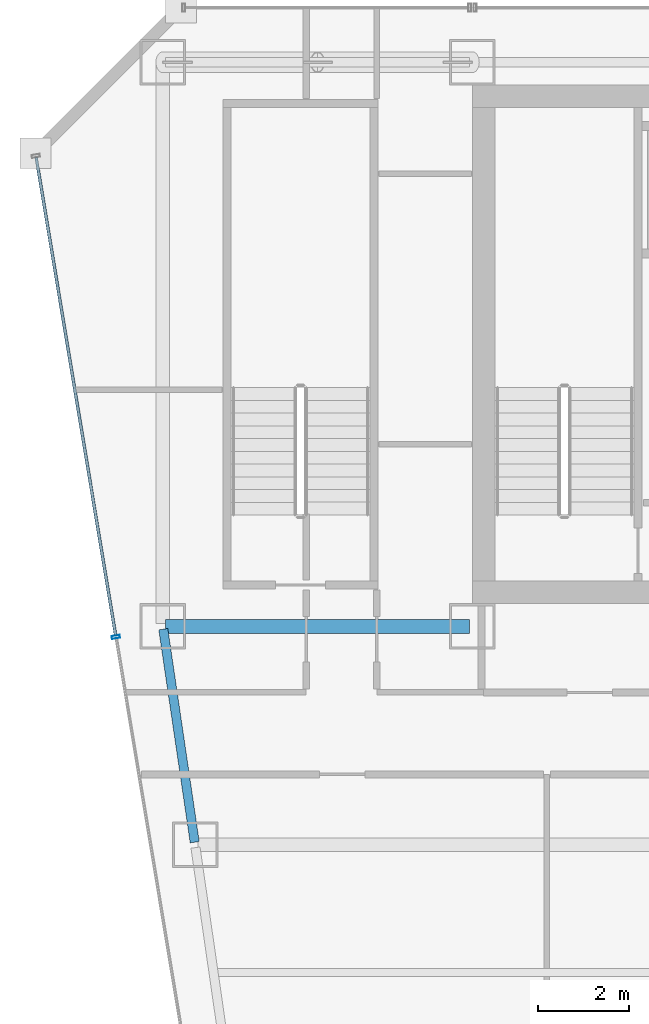
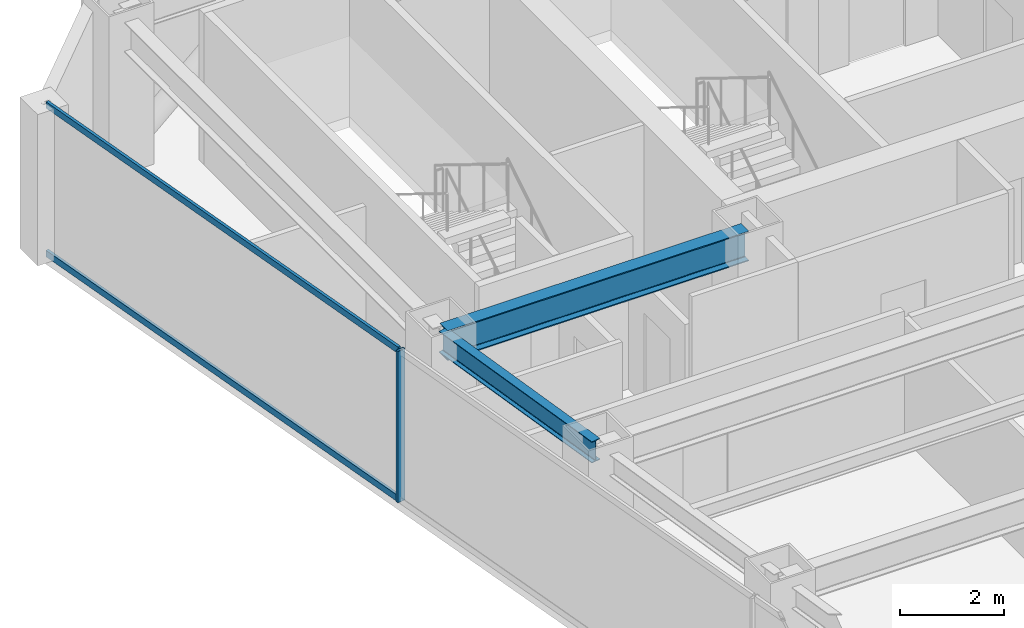
# One storey, part 19 of 36: 3 members, 2 beams, 1 element without a shape of its own.
"""IFC4 building model written with IfcOpenShell, lengths in metres."""

from ifc_helpers import new_model, si_unit, direction, frame, origin, origin_2d, place, context, subcontext, project, spatial, hollow_rectangle, i_section, extrude, material, material_profile, profile_set, type_object, element, aggregate, save


model = new_model("IFC4")

# Units and contexts
model_context = context("Model", 3, precision=1e-05, world=origin(), true_north=direction((0.0, 1.0)))
body_context = subcontext(model_context, "Body", "Model", "MODEL_VIEW")
ifc_project = project(units=[si_unit("LENGTHUNIT", "METRE"), si_unit("AREAUNIT", "SQUARE_METRE"), si_unit("VOLUMEUNIT", "CUBIC_METRE"), si_unit("PLANEANGLEUNIT", "RADIAN"), si_unit("MASSUNIT", "GRAM", prefix="KILO")], contexts=[model_context])

# Site, building, storey
site_placement = place(None, origin())
site = spatial("IfcSite", under=ifc_project, at=site_placement, CompositionType="ELEMENT")
building_placement = place(site_placement, origin())
building = spatial("IfcBuilding", under=site, at=building_placement, Name="Saevonmaru Cultural Tower", CompositionType="ELEMENT")
storey_placement = place(building_placement, frame((0.0, 0.0, 148.60009765625)))
storey = spatial("IfcBuildingStorey", under=building, at=storey_placement, Name="L32", CompositionType="ELEMENT", Elevation=148.60009765625)

# Beams
ifc_material_1 = material(Name="Steel SM355", Category="steel")
ifc_material_profile_1 = material_profile(ifc_material_1, i_section(OverallWidth=0.300048828125, OverallDepth=0.699951171875, WebThickness=0.012939453125, FlangeThickness=0.02392578125, FilletRadius=0.02587890625, at=origin_2d()), Name="H-700x300x13x24")
ifc_profile_set_1 = profile_set([ifc_material_profile_1], Name="Steel SM355")
beam_type_1 = type_object("IfcBeamType", Name="BM-G-H700", PredefinedType="BEAM", material=ifc_profile_set_1)
beam_1_placement = place(storey_placement, frame((6.860107421875, 42.39990234375, 3.199951171875), z_axis=(1.0, 0.0, 0.0), x_axis=(0.0, 1.0, 0.0)))
element("IfcBeam", 1, at=beam_1_placement, inside=storey, type_object=beam_type_1, Name="L32 Core South Girder 1", PredefinedType="BEAM", context=body_context, shape_type="SweptSolid", body=[
    extrude(i_section(OverallWidth=0.300048828125, OverallDepth=0.699951171875, WebThickness=0.012939453125, FlangeThickness=0.02392578125, FilletRadius=0.02587890625, at=origin_2d()), origin(), (0.0, 0.0, 1.0), 6.679931640625),
])
ifc_material_profile_2 = material_profile(ifc_material_1, i_section(OverallWidth=0.199951171875, OverallDepth=0.5, WebThickness=0.010009765625, FlangeThickness=0.01611328125, FilletRadius=0.02001953125, at=origin_2d()), Name="H-500x200x10x16")
ifc_profile_set_2 = profile_set([ifc_material_profile_2], Name="Steel SM355")
beam_type_2 = type_object("IfcBeamType", Name="BM-SP-H500", PredefinedType="SPANDREL", material=ifc_profile_set_2)
beam_2_placement = place(storey_placement, frame((7.499267578125, 37.659423828125, 3.2998046875), z_axis=(-0.145912860028, 0.989297446312, 0.0), x_axis=(-0.989297446312, -0.145912860028, 0.0)))
element("IfcBeam", 2, at=beam_2_placement, inside=storey, type_object=beam_type_2, Name="L32 West Splayed Spandrel 5", PredefinedType="SPANDREL", context=body_context, shape_type="SweptSolid", body=[
    extrude(i_section(OverallWidth=0.199951171875, OverallDepth=0.5, WebThickness=0.010009765625, FlangeThickness=0.01611328125, FilletRadius=0.02001953125, at=origin_2d()), origin(), (0.0, 0.0, 1.0), 4.731689453125),
])

# Curtain wall, members
ifc_material_2 = material(Name="Satin Bronze Anodised Aluminium", Category="aluminium")
curtain_wall_type = type_object("IfcCurtainWallType", Name="CW-TYP-A", PredefinedType="NOTDEFINED", material=ifc_material_2)
curtain_wall_placement = place(storey_placement, origin())
curtain_wall = element("IfcCurtainWall", 3, at=curtain_wall_placement, inside=storey, type_object=curtain_wall_type, Name="L32 Unitised Curtain Wall E12", PredefinedType="NOTDEFINED")
ifc_material_profile_3 = material_profile(ifc_material_2, hollow_rectangle(XDim=0.06494140625, YDim=0.179931640625, WallThickness=0.00390625, at=origin_2d()), Name="ALU-MULL-180x65x4")
ifc_profile_set_3 = profile_set([ifc_material_profile_3], Name="Satin Bronze Anodised Aluminium")
member_type_1 = type_object("IfcMemberType", Name="ML-CW-180x65", PredefinedType="MULLION", material=ifc_profile_set_3)
member_1_placement = place(storey_placement, frame((5.76708984375, 42.17041015625, 0.0), z_axis=(0.0, 0.0, 1.0), x_axis=(0.163998702345, -0.986460554523, 0.0)))
member_1 = element("IfcMember", 4, at=member_1_placement, type_object=member_type_1, Name="CW-TW-L32-E12 mullion 2", PredefinedType="MULLION", context=body_context, shape_type="SweptSolid", body=[
    extrude(hollow_rectangle(XDim=0.06494140625, YDim=0.179931640625, WallThickness=0.00390625, at=origin_2d()), origin(), (0.0, 0.0, 1.0), 3.5498046875),
])
ifc_material_profile_4 = material_profile(ifc_material_2, hollow_rectangle(XDim=0.06494140625, YDim=0.14990234375, WallThickness=0.00390625, at=origin_2d()), Name="ALU-TRAN-150x65x4")
ifc_profile_set_4 = profile_set([ifc_material_profile_4], Name="Satin Bronze Anodised Aluminium")
member_type_2 = type_object("IfcMemberType", Name="TR-CW-150x65", PredefinedType="USERDEFINED", material=ifc_profile_set_4)
member_2_placement = place(storey_placement, frame((4.01513671875, 52.708740234375, 0.032470703125), z_axis=(0.163990079074, -0.9864619881, 0.0), x_axis=(0.9864619881, 0.163990079074, 0.0)))
member_2 = element("IfcMember", 5, at=member_2_placement, type_object=member_type_2, Name="CW-TW-L32-E12 transom 1.1", ObjectType="TRANSOM", PredefinedType="USERDEFINED", context=body_context, shape_type="SweptSolid", body=[
    extrude(hollow_rectangle(XDim=0.06494140625, YDim=0.14990234375, WallThickness=0.00390625, at=origin_2d()), origin(), (0.0, 0.0, 1.0), 10.650634765625),
])
member_3_placement = place(storey_placement, frame((4.01513671875, 52.708740234375, 3.517333984375), z_axis=(0.163990079074, -0.9864619881, 0.0), x_axis=(0.9864619881, 0.163990079074, 0.0)))
member_3 = element("IfcMember", 6, at=member_3_placement, type_object=member_type_2, Name="CW-TW-L32-E12 transom 1.2", ObjectType="TRANSOM", PredefinedType="USERDEFINED", context=body_context, shape_type="SweptSolid", body=[
    extrude(hollow_rectangle(XDim=0.06494140625, YDim=0.14990234375, WallThickness=0.00390625, at=origin_2d()), origin(), (0.0, 0.0, 1.0), 10.650634765625),
])
aggregate(curtain_wall, [member_1, member_2, member_3])

save(model, "model.ifc")
